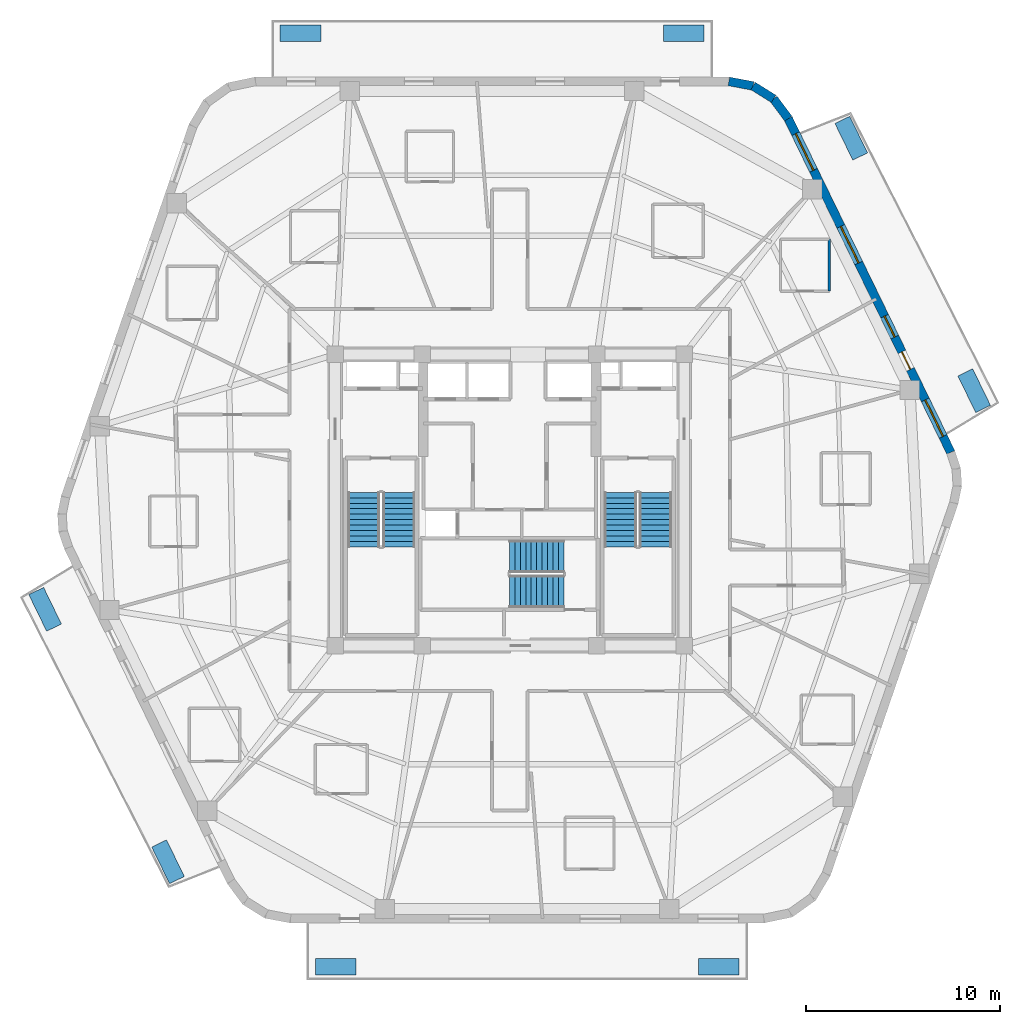
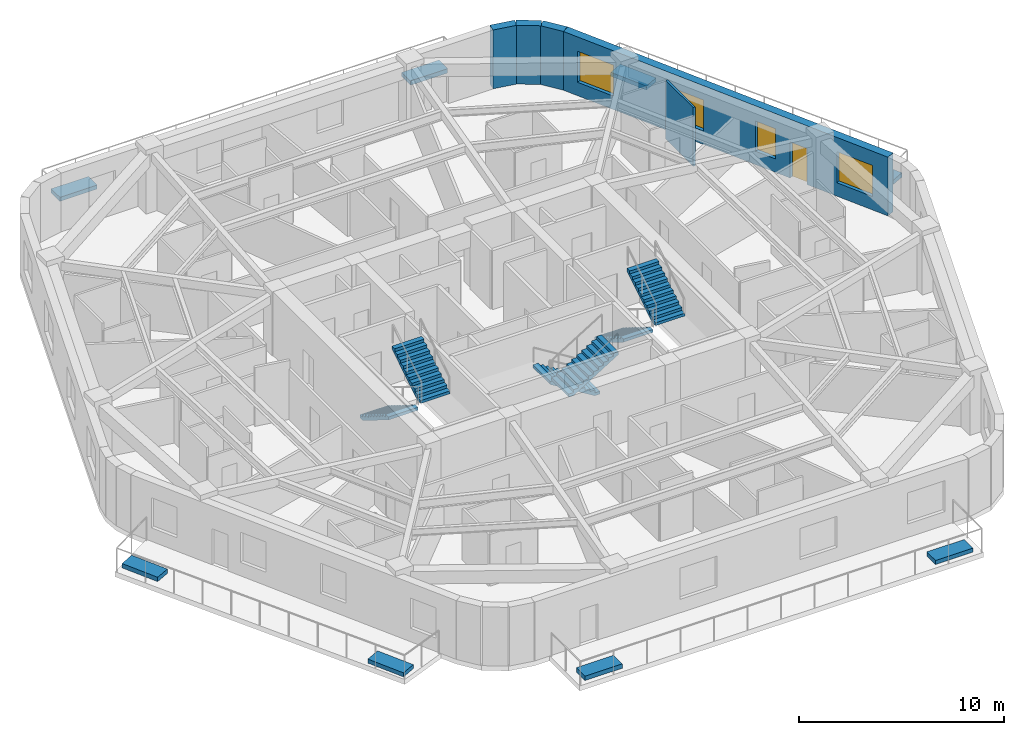
# One storey, part 7 of 10: 8 discrete accessories, 6 stair flights, 5 walls, 4 windows, 1 door, 5 openings, 3 elements without a shape of their own.
"""IFC4 building model written with IfcOpenShell, lengths in metres."""

from ifc_helpers import new_model, si_unit, direction, frame, frame_2d, origin, origin_2d, place, context, subcontext, project, spatial, polyline, rectangle, outline, extrude, material, layer, layer_set, type_object, element, fill, aggregate, save


model = new_model("IFC4")

# Units and contexts
model_context = context("Model", 3, precision=1e-05, world=origin(), true_north=direction((0.0, 1.0)))
body_context = subcontext(model_context, "Body", "Model", "MODEL_VIEW")
ifc_project = project(units=[si_unit("LENGTHUNIT", "METRE"), si_unit("AREAUNIT", "SQUARE_METRE"), si_unit("VOLUMEUNIT", "CUBIC_METRE"), si_unit("PLANEANGLEUNIT", "RADIAN"), si_unit("MASSUNIT", "GRAM", prefix="KILO")], contexts=[model_context])

# Site, building, storey
site_placement = place(None, origin())
site = spatial("IfcSite", under=ifc_project, at=site_placement, CompositionType="ELEMENT")
building_placement = place(site_placement, origin())
building = spatial("IfcBuilding", under=site, at=building_placement, Name="Kilnhurst Terrace Hotel", CompositionType="ELEMENT")
storey_placement = place(building_placement, frame((0.0, 0.0, 244.5)))
storey = spatial("IfcBuildingStorey", under=building, at=storey_placement, Name="L61", CompositionType="ELEMENT", Elevation=244.5)

# Walls
ifc_material_1 = material(Name="Precast concrete C40/50", Category="concrete")
ifc_layer_1 = layer(ifc_material_1, 0.449951171875, Name="Precast concrete C40/50")
ifc_layer_set_1 = layer_set([ifc_layer_1], Name="Precast concrete C40/50")
wall_type_1 = type_object("IfcWallType", Name="WL-BRK-450", PredefinedType="SOLIDWALL", material=ifc_layer_set_1)
wall_1_placement = place(storey_placement, frame((14.3623046875, 19.658447265625, 0.0), z_axis=(0.0, 0.0, 1.0), x_axis=(-0.596642462792, 0.80250717853, 0.0)))
element("IfcWall", 1, at=wall_1_placement, inside=storey, type_object=wall_type_1, Name="L61 Rounded Corner Brick Wall C4.1", PredefinedType="SOLIDWALL", context=body_context, shape_type="SweptSolid", body=[
    extrude(rectangle(XDim=1.27001953125, YDim=0.449951171875, at=frame_2d((0.635009765625, 0.0))), origin(), (0.0, 0.0, 1.0), 3.5),
])
wall_2_placement = place(storey_placement, frame((13.6044921875, 20.677734375, 0.0), z_axis=(0.0, 0.0, 1.0), x_axis=(-0.847910404124, 0.53013955387, 0.0)))
element("IfcWall", 2, at=wall_2_placement, inside=storey, type_object=wall_type_1, Name="L61 Rounded Corner Brick Wall C4.2", PredefinedType="SOLIDWALL", context=body_context, shape_type="SweptSolid", body=[
    extrude(rectangle(XDim=1.24853515625, YDim=0.449951171875, at=frame_2d((0.624267578125, 0.0))), origin(), (0.0, 0.0, 1.0), 3.5),
])
wall_3_placement = place(storey_placement, frame((12.5458984375, 21.339599609375, 0.0), z_axis=(0.0, 0.0, 1.0), x_axis=(-0.982686750835, 0.18527479519, 0.0)))
element("IfcWall", 3, at=wall_3_placement, inside=storey, type_object=wall_type_1, Name="L61 Rounded Corner Brick Wall C4.3", PredefinedType="SOLIDWALL", context=body_context, shape_type="SweptSolid", body=[
    extrude(rectangle(XDim=1.270263671875, YDim=0.449951171875, at=frame_2d((0.63525390625, 0.0))), origin(), (0.0, 0.0, 1.0), 3.5),
])

# Wall, openings, door, windows
wall_4_placement = place(storey_placement, frame((22.73974609375, 2.4521484375, 0.0), z_axis=(0.0, 0.0, 1.0), x_axis=(-0.437753424814, 0.899095066755, 0.0)))
wall_4 = element("IfcWall", 4, at=wall_4_placement, inside=storey, type_object=wall_type_1, Name="L61 Exterior Brick Facade Wall F3", PredefinedType="SOLIDWALL", context=body_context, shape_type="SweptSolid", body=[
    extrude(rectangle(XDim=19.137451171875, YDim=0.449951171875, at=frame_2d((9.56884765625, 0.0))), origin(), (0.0, 0.0, 1.0), 3.5),
])
opening_1_placement = place(wall_4_placement, frame((4.762939453125, 0.0, 0.0)))
opening_1 = element("IfcOpeningElement", 5, at=opening_1_placement, cuts=wall_4, Name="Opening BD-1000", PredefinedType="OPENING", context=body_context, shape_type="SweptSolid", body=[
    extrude(rectangle(XDim=1.0, YDim=2.14990234375, at=frame_2d((0.5, 1.074951171875))), frame((0.0, 0.23486328125, 0.0), z_axis=(0.0, -1.0, 0.0), x_axis=(1.0, 0.0, 0.0)), (0.0, 0.0, 1.0), 0.469970703125),
])
opening_2_placement = place(wall_4_placement, frame((6.611083984375, 0.0, 0.800048828125)))
opening_2 = element("IfcOpeningElement", 6, at=opening_2_placement, cuts=wall_4, Name="Opening W-03", PredefinedType="OPENING", context=body_context, shape_type="SweptSolid", body=[
    extrude(rectangle(XDim=1.199951171875, YDim=1.800048828125, at=frame_2d((0.60009765625, 0.89990234375))), frame((0.0, 0.23486328125, 0.0), z_axis=(0.0, -1.0, 0.0), x_axis=(1.0, 0.0, 0.0)), (0.0, 0.0, 1.0), 0.469970703125),
])
opening_3_placement = place(wall_4_placement, frame((10.85595703125, 0.0, 0.800048828125)))
opening_3 = element("IfcOpeningElement", 7, at=opening_3_placement, cuts=wall_4, Name="Opening W-04", PredefinedType="OPENING", context=body_context, shape_type="SweptSolid", body=[
    extrude(rectangle(XDim=2.10009765625, YDim=1.85009765625, at=frame_2d((1.050048828125, 0.925048828125))), frame((0.0, 0.23486328125, 0.0), z_axis=(0.0, -1.0, 0.0), x_axis=(1.0, 0.0, 0.0)), (0.0, 0.0, 1.0), 0.469970703125),
])
opening_4_placement = place(wall_4_placement, frame((16.173095703125, 0.0, 0.800048828125)))
opening_4 = element("IfcOpeningElement", 8, at=opening_4_placement, cuts=wall_4, Name="Opening W-04", PredefinedType="OPENING", context=body_context, shape_type="SweptSolid", body=[
    extrude(rectangle(XDim=2.10009765625, YDim=1.85009765625, at=frame_2d((1.050048828125, 0.925048828125))), frame((0.0, 0.23486328125, 0.0), z_axis=(0.0, -1.0, 0.0), x_axis=(1.0, 0.0, 0.0)), (0.0, 0.0, 1.0), 0.469970703125),
])
opening_5_placement = place(wall_4_placement, frame((0.916015625, 0.0, 0.800048828125)))
opening_5 = element("IfcOpeningElement", 9, at=opening_5_placement, cuts=wall_4, Name="Opening W-04", PredefinedType="OPENING", context=body_context, shape_type="SweptSolid", body=[
    extrude(rectangle(XDim=2.10009765625, YDim=1.85009765625, at=frame_2d((1.050048828125, 0.925048828125))), frame((0.0, 0.23486328125, 0.0), z_axis=(0.0, -1.0, 0.0), x_axis=(1.0, 0.0, 0.0)), (0.0, 0.0, 1.0), 0.469970703125),
])
ifc_material_2 = material(Name="Thermally Broken Bronze Aluminium Alloy 6063-T6 and Laminated Glass", Category="aluminium")
door_type = type_object("IfcDoorType", Name="DR-EXT-BAL-1000", OperationType="NOTDEFINED", PredefinedType="DOOR", material=ifc_material_2)
door_placement = place(opening_1_placement, origin())
door = element("IfcDoor", 10, at=door_placement, inside=storey, type_object=door_type, Name="L61 Planted Balcony Door BAL-L1A", OperationType="SINGLE_SWING_LEFT", OverallHeight=2.14990234375, OverallWidth=1.0, PredefinedType="DOOR", context=body_context, shape_type="SweptSolid", body=[
    extrude(rectangle(XDim=1.0, YDim=2.14990234375, at=frame_2d((0.5, 1.074951171875))), frame((0.0, 0.02490234375, 0.0), z_axis=(0.0, -1.0, 0.0), x_axis=(1.0, 0.0, 0.0)), (0.0, 0.0, 1.0), 0.050048828125),
])
fill(opening_1, door)
ifc_material_3 = material(Name="Thermally Broken Bronze Aluminium Alloy 6063-T6 and Low-E Glass", Category="aluminium")
window_type_1 = type_object("IfcWindowType", Name="WIN-1200X1800", PartitioningType="SINGLE_PANEL", PredefinedType="WINDOW", material=ifc_material_3)
window_1_placement = place(opening_2_placement, origin())
window_1 = element("IfcWindow", 11, at=window_1_placement, inside=storey, type_object=window_type_1, Name="L61 Deep-Set Masonry Window F3.1", OverallHeight=1.800048828125, OverallWidth=1.199951171875, PartitioningType="SINGLE_PANEL", PredefinedType="WINDOW", context=body_context, shape_type="SweptSolid", body=[
    extrude(rectangle(XDim=1.199951171875, YDim=1.800048828125, at=frame_2d((0.60009765625, 0.89990234375))), frame((0.0, 0.030029296875, 0.0), z_axis=(0.0, -1.0, 0.0), x_axis=(1.0, 0.0, 0.0)), (0.0, 0.0, 1.0), 0.06005859375),
])
fill(opening_2, window_1)
window_type_2 = type_object("IfcWindowType", Name="WIN-2100X1850", PartitioningType="SINGLE_PANEL", PredefinedType="WINDOW", material=ifc_material_3)
window_2_placement = place(opening_3_placement, origin())
window_2 = element("IfcWindow", 12, at=window_2_placement, inside=storey, type_object=window_type_2, Name="L61 Deep-Set Masonry Window F3.2", OverallHeight=1.85009765625, OverallWidth=2.10009765625, PartitioningType="SINGLE_PANEL", PredefinedType="WINDOW", context=body_context, shape_type="SweptSolid", body=[
    extrude(rectangle(XDim=2.10009765625, YDim=1.85009765625, at=frame_2d((1.050048828125, 0.925048828125))), frame((0.0, 0.030029296875, 0.0), z_axis=(0.0, -1.0, 0.0), x_axis=(1.0, 0.0, 0.0)), (0.0, 0.0, 1.0), 0.06005859375),
])
fill(opening_3, window_2)
window_3_placement = place(opening_4_placement, origin())
window_3 = element("IfcWindow", 13, at=window_3_placement, inside=storey, type_object=window_type_2, Name="L61 Deep-Set Masonry Window F3.3", OverallHeight=1.85009765625, OverallWidth=2.10009765625, PartitioningType="SINGLE_PANEL", PredefinedType="WINDOW", context=body_context, shape_type="SweptSolid", body=[
    extrude(rectangle(XDim=2.10009765625, YDim=1.85009765625, at=frame_2d((1.050048828125, 0.925048828125))), frame((0.0, 0.030029296875, 0.0), z_axis=(0.0, -1.0, 0.0), x_axis=(1.0, 0.0, 0.0)), (0.0, 0.0, 1.0), 0.06005859375),
])
fill(opening_4, window_3)
window_4_placement = place(opening_5_placement, origin())
window_4 = element("IfcWindow", 14, at=window_4_placement, inside=storey, type_object=window_type_2, Name="L61 Deep-Set Masonry Window F3.4", OverallHeight=1.85009765625, OverallWidth=2.10009765625, PartitioningType="SINGLE_PANEL", PredefinedType="WINDOW", context=body_context, shape_type="SweptSolid", body=[
    extrude(rectangle(XDim=2.10009765625, YDim=1.85009765625, at=frame_2d((1.050048828125, 0.925048828125))), frame((0.0, 0.030029296875, 0.0), z_axis=(0.0, -1.0, 0.0), x_axis=(1.0, 0.0, 0.0)), (0.0, 0.0, 1.0), 0.06005859375),
])
fill(opening_5, window_4)

# Wall
ifc_material_4 = material(Name="120 mm Moisture-Resistant Tile-Backed Bathroom Partition")
ifc_layer_2 = layer(ifc_material_4, 0.1201171875, Name="120 mm Moisture-Resistant Tile-Backed Bathroom Partition")
ifc_layer_set_2 = layer_set([ifc_layer_2], Name="120 mm Moisture-Resistant Tile-Backed Bathroom Partition")
wall_type_2 = type_object("IfcWallType", Name="WL-PART-120", PredefinedType="PARTITIONING", material=ifc_layer_set_2)
wall_5_placement = place(storey_placement, frame((16.47802734375, 10.761962890625, 0.0), z_axis=(0.0, 0.0, 1.0), x_axis=(0.0, 1.0, 0.0)))
element("IfcWall", 15, at=wall_5_placement, inside=storey, type_object=wall_type_2, Name="L61 Interior Wall WL-L61-BTH-02-2", PredefinedType="PARTITIONING", context=body_context, shape_type="SweptSolid", body=[
    extrude(rectangle(XDim=2.679931640625, YDim=0.1201171875, at=frame_2d((1.33984375, 0.0))), origin(), (0.0, 0.0, 1.0), 3.5),
])

# Stair, stair flights
ifc_material_5 = material(Name="Concrete C50/60", Category="concrete")
stair_type = type_object("IfcStairType", Name="STR-CORE-1660", PredefinedType="HALF_TURN_STAIR", material=ifc_material_5)
stair_1_placement = place(storey_placement, origin())
stair_1 = element("IfcStair", 16, at=stair_1_placement, inside=storey, type_object=stair_type, Name="L61 ST-1", PredefinedType="HALF_TURN_STAIR")
stair_flight_type = type_object("IfcStairFlightType", Name="FLT-RC-1660", PredefinedType="STRAIGHT", material=ifc_material_5)
stair_flight_1_placement = place(storey_placement, frame((-7.52001953125, 0.389892578125, 0.0), z_axis=(0.0, 0.0, 1.0), x_axis=(0.0, -1.0, 0.0)))
stair_flight_1 = element("IfcStairFlight", 17, at=stair_flight_1_placement, type_object=stair_flight_type, Name="ST-1 flight 1", NumberOfRisers=11, NumberOfTreads=10, PredefinedType="STRAIGHT", RiserHeight=0.172727273, TreadLength=0.28, context=body_context, shape_type="SweptSolid", body=[
    extrude(outline(polyline([(0.0, 0.0), (0.0, 0.172607421875), (0.280029296875, 0.172607421875), (0.280029296875, 0.345458984375), (0.56005859375, 0.345458984375), (0.56005859375, 0.51806640625), (0.840087890625, 0.51806640625), (0.840087890625, 0.69091796875), (1.1201171875, 0.69091796875), (1.1201171875, 0.863525390625), (1.39990234375, 0.863525390625), (1.39990234375, 1.036376953125), (1.679931640625, 1.036376953125), (1.679931640625, 1.208984375), (1.9599609375, 1.208984375), (1.9599609375, 1.3818359375), (2.239990234375, 1.3818359375), (2.239990234375, 1.554443359375), (2.52001953125, 1.554443359375), (2.52001953125, 1.727294921875), (2.800048828125, 1.727294921875), (2.800048828125, 1.89990234375), (2.800048828125, 1.551025390625), (0.285400390625, 0.0), (0.0, 0.0)])), frame((0.0, 0.830078125, 0.0), z_axis=(0.0, -1.0, 0.0), x_axis=(1.0, 0.0, 0.0)), (0.0, 0.0, 1.0), 1.659912109375),
])
stair_flight_2_placement = place(storey_placement, frame((-5.7099609375, -2.409912109375, 1.89990234375), z_axis=(0.0, 0.0, 1.0), x_axis=(0.0, 1.0, 0.0)))
stair_flight_2 = element("IfcStairFlight", 18, at=stair_flight_2_placement, type_object=stair_flight_type, Name="ST-1 flight 2", NumberOfRisers=11, NumberOfTreads=10, PredefinedType="STRAIGHT", RiserHeight=0.172727273, TreadLength=0.28, context=body_context, shape_type="SweptSolid", body=[
    extrude(outline(polyline([(0.0, 0.0), (0.0, 0.172607421875), (0.280029296875, 0.172607421875), (0.280029296875, 0.345458984375), (0.56005859375, 0.345458984375), (0.56005859375, 0.51806640625), (0.840087890625, 0.51806640625), (0.840087890625, 0.69091796875), (1.1201171875, 0.69091796875), (1.1201171875, 0.863525390625), (1.39990234375, 0.863525390625), (1.39990234375, 1.036376953125), (1.679931640625, 1.036376953125), (1.679931640625, 1.208984375), (1.9599609375, 1.208984375), (1.9599609375, 1.3818359375), (2.239990234375, 1.3818359375), (2.239990234375, 1.554443359375), (2.52001953125, 1.554443359375), (2.52001953125, 1.727294921875), (2.800048828125, 1.727294921875), (2.800048828125, 1.89990234375), (2.800048828125, 1.551025390625), (0.285400390625, 0.0), (0.0, 0.0)])), frame((0.0, 0.830078125, 0.0), z_axis=(0.0, -1.0, 0.0), x_axis=(1.0, 0.0, 0.0)), (0.0, 0.0, 1.0), 1.659912109375),
])
aggregate(stair_1, [stair_flight_1, stair_flight_2])

stair_2_placement = place(storey_placement, origin())
stair_2 = element("IfcStair", 19, at=stair_2_placement, inside=storey, type_object=stair_type, Name="L61 ST-2", PredefinedType="HALF_TURN_STAIR")
stair_flight_3_placement = place(storey_placement, frame((5.7099609375, 0.389892578125, 0.0), z_axis=(0.0, 0.0, 1.0), x_axis=(0.0, -1.0, 0.0)))
stair_flight_3 = element("IfcStairFlight", 20, at=stair_flight_3_placement, type_object=stair_flight_type, Name="ST-2 flight 1", NumberOfRisers=11, NumberOfTreads=10, PredefinedType="STRAIGHT", RiserHeight=0.172727273, TreadLength=0.28, context=body_context, shape_type="SweptSolid", body=[
    extrude(outline(polyline([(0.0, 0.0), (0.0, 0.172607421875), (0.280029296875, 0.172607421875), (0.280029296875, 0.345458984375), (0.56005859375, 0.345458984375), (0.56005859375, 0.51806640625), (0.840087890625, 0.51806640625), (0.840087890625, 0.69091796875), (1.1201171875, 0.69091796875), (1.1201171875, 0.863525390625), (1.39990234375, 0.863525390625), (1.39990234375, 1.036376953125), (1.679931640625, 1.036376953125), (1.679931640625, 1.208984375), (1.9599609375, 1.208984375), (1.9599609375, 1.3818359375), (2.239990234375, 1.3818359375), (2.239990234375, 1.554443359375), (2.52001953125, 1.554443359375), (2.52001953125, 1.727294921875), (2.800048828125, 1.727294921875), (2.800048828125, 1.89990234375), (2.800048828125, 1.551025390625), (0.285400390625, 0.0), (0.0, 0.0)])), frame((0.0, 0.830078125, 0.0), z_axis=(0.0, -1.0, 0.0), x_axis=(1.0, 0.0, 0.0)), (0.0, 0.0, 1.0), 1.659912109375),
])
stair_flight_4_placement = place(storey_placement, frame((7.52001953125, -2.409912109375, 1.89990234375), z_axis=(0.0, 0.0, 1.0), x_axis=(0.0, 1.0, 0.0)))
stair_flight_4 = element("IfcStairFlight", 21, at=stair_flight_4_placement, type_object=stair_flight_type, Name="ST-2 flight 2", NumberOfRisers=11, NumberOfTreads=10, PredefinedType="STRAIGHT", RiserHeight=0.172727273, TreadLength=0.28, context=body_context, shape_type="SweptSolid", body=[
    extrude(outline(polyline([(0.0, 0.0), (0.0, 0.172607421875), (0.280029296875, 0.172607421875), (0.280029296875, 0.345458984375), (0.56005859375, 0.345458984375), (0.56005859375, 0.51806640625), (0.840087890625, 0.51806640625), (0.840087890625, 0.69091796875), (1.1201171875, 0.69091796875), (1.1201171875, 0.863525390625), (1.39990234375, 0.863525390625), (1.39990234375, 1.036376953125), (1.679931640625, 1.036376953125), (1.679931640625, 1.208984375), (1.9599609375, 1.208984375), (1.9599609375, 1.3818359375), (2.239990234375, 1.3818359375), (2.239990234375, 1.554443359375), (2.52001953125, 1.554443359375), (2.52001953125, 1.727294921875), (2.800048828125, 1.727294921875), (2.800048828125, 1.89990234375), (2.800048828125, 1.551025390625), (0.285400390625, 0.0), (0.0, 0.0)])), frame((0.0, 0.830078125, 0.0), z_axis=(0.0, -1.0, 0.0), x_axis=(1.0, 0.0, 0.0)), (0.0, 0.0, 1.0), 1.659912109375),
])
aggregate(stair_2, [stair_flight_3, stair_flight_4])

stair_3_placement = place(storey_placement, origin())
stair_3 = element("IfcStair", 22, at=stair_3_placement, inside=storey, type_object=stair_type, Name="L61 ST-3", PredefinedType="HALF_TURN_STAIR")
stair_flight_5_placement = place(storey_placement, frame((2.7900390625, -2.909912109375, 0.0), z_axis=(0.0, 0.0, 1.0), x_axis=(-1.0, 0.0, 0.0)))
stair_flight_5 = element("IfcStairFlight", 23, at=stair_flight_5_placement, type_object=stair_flight_type, Name="ST-3 flight 1", NumberOfRisers=11, NumberOfTreads=10, PredefinedType="STRAIGHT", RiserHeight=0.172727273, TreadLength=0.28, context=body_context, shape_type="SweptSolid", body=[
    extrude(outline(polyline([(0.0, 0.0), (0.0, 0.172607421875), (0.280029296875, 0.172607421875), (0.280029296875, 0.345458984375), (0.56005859375, 0.345458984375), (0.56005859375, 0.51806640625), (0.840087890625, 0.51806640625), (0.840087890625, 0.69091796875), (1.1201171875, 0.69091796875), (1.1201171875, 0.863525390625), (1.39990234375, 0.863525390625), (1.39990234375, 1.036376953125), (1.679931640625, 1.036376953125), (1.679931640625, 1.208984375), (1.9599609375, 1.208984375), (1.9599609375, 1.3818359375), (2.239990234375, 1.3818359375), (2.239990234375, 1.554443359375), (2.52001953125, 1.554443359375), (2.52001953125, 1.727294921875), (2.800048828125, 1.727294921875), (2.800048828125, 1.89990234375), (2.800048828125, 1.551025390625), (0.285400390625, 0.0), (0.0, 0.0)])), frame((0.0, 0.830078125, 0.0), z_axis=(0.0, -1.0, 0.0), x_axis=(1.0, 0.0, 0.0)), (0.0, 0.0, 1.0), 1.659912109375),
])
stair_flight_6_placement = place(storey_placement, frame((-0.010009765625, -4.719970703125, 1.89990234375), z_axis=(0.0, 0.0, 1.0), x_axis=(1.0, 0.0, 0.0)))
stair_flight_6 = element("IfcStairFlight", 24, at=stair_flight_6_placement, type_object=stair_flight_type, Name="ST-3 flight 2", NumberOfRisers=11, NumberOfTreads=10, PredefinedType="STRAIGHT", RiserHeight=0.172727273, TreadLength=0.28, context=body_context, shape_type="SweptSolid", body=[
    extrude(outline(polyline([(0.0, 0.0), (0.0, 0.172607421875), (0.280029296875, 0.172607421875), (0.280029296875, 0.345458984375), (0.56005859375, 0.345458984375), (0.56005859375, 0.51806640625), (0.840087890625, 0.51806640625), (0.840087890625, 0.69091796875), (1.1201171875, 0.69091796875), (1.1201171875, 0.863525390625), (1.39990234375, 0.863525390625), (1.39990234375, 1.036376953125), (1.679931640625, 1.036376953125), (1.679931640625, 1.208984375), (1.9599609375, 1.208984375), (1.9599609375, 1.3818359375), (2.239990234375, 1.3818359375), (2.239990234375, 1.554443359375), (2.52001953125, 1.554443359375), (2.52001953125, 1.727294921875), (2.800048828125, 1.727294921875), (2.800048828125, 1.89990234375), (2.800048828125, 1.551025390625), (0.285400390625, 0.0), (0.0, 0.0)])), frame((0.0, 0.830078125, 0.0), z_axis=(0.0, -1.0, 0.0), x_axis=(1.0, 0.0, 0.0)), (0.0, 0.0, 1.0), 1.659912109375),
])
aggregate(stair_3, [stair_flight_5, stair_flight_6])

# Discrete accessories
ifc_material_6 = material(Name="Precast Concrete C40/50 Shrub Planter", Category="concrete")
discrete_accessory_type_1 = type_object("IfcDiscreteAccessoryType", Name="PLN-SHRUB-240", PredefinedType="USERDEFINED", material=ifc_material_6)
for number, where, z_axis, x_axis, name in (
    (25, (17.607177734375, 18.64794921875, 0.0), (0.0, 0.0, 1.0), (-0.437743563395, 0.899099868038, 0.0), "L61 Structural Tree Planter Box PLANTER BAL-L1A.2"),
    (26, (-10.77490234375, 24.050048828125, 0.0), (0.0, 0.0, 1.0), (-1.0, 0.0, 0.0), "L61 Structural Tree Planter Box PLANTER BAL-L1B.2"),
    (27, (-17.607177734375, -18.64794921875, 0.0), (0.0, 0.0, 1.0), (0.437743563395, -0.899099868038, 0.0), "L61 Structural Tree Planter Box PLANTER BAL-L2A.2"),
    (28, (10.77490234375, -24.050048828125, 0.0), (0.0, 0.0, 1.0), (1.0, 0.0, 0.0), "L61 Structural Tree Planter Box PLANTER BAL-L2B.2"),
):
    element("IfcDiscreteAccessory", number, at=place(storey_placement, frame(where, z_axis=z_axis, x_axis=x_axis)), inside=storey, type_object=discrete_accessory_type_1, Name=name, ObjectType="PLANTER", PredefinedType="USERDEFINED", context=body_context, shape_type="SweptSolid", body=[
        extrude(rectangle(XDim=2.10009765625, YDim=0.85009765625, at=origin_2d()), origin(), (0.0, 0.0, 1.0), 0.239990234375),
    ])
ifc_material_7 = material(Name="Precast Concrete C40/50 Tree Planter", Category="concrete")
discrete_accessory_type_2 = type_object("IfcDiscreteAccessoryType", Name="PLN-TREE-260", PredefinedType="USERDEFINED", material=ifc_material_7)
for number, where, z_axis, x_axis, name in (
    (29, (23.942626953125, 5.635009765625, 0.0), (0.0, 0.0, 1.0), (-0.437743563395, 0.899099868038, 0.0), "L61 Structural Tree Planter Box PLANTER BAL-L1A.1"),
    (30, (8.96875, 24.050048828125, 0.0), (0.0, 0.0, 1.0), (-1.0, 0.0, 0.0), "L61 Structural Tree Planter Box PLANTER BAL-L1B.1"),
    (31, (-23.942626953125, -5.635009765625, 0.0), (0.0, 0.0, 1.0), (0.437743563395, -0.899099868038, 0.0), "L61 Structural Tree Planter Box PLANTER BAL-L2A.1"),
    (32, (-8.96875, -24.050048828125, 0.0), (0.0, 0.0, 1.0), (1.0, 0.0, 0.0), "L61 Structural Tree Planter Box PLANTER BAL-L2B.1"),
):
    element("IfcDiscreteAccessory", number, at=place(storey_placement, frame(where, z_axis=z_axis, x_axis=x_axis)), inside=storey, type_object=discrete_accessory_type_2, Name=name, ObjectType="PLANTER", PredefinedType="USERDEFINED", context=body_context, shape_type="SweptSolid", body=[
        extrude(rectangle(XDim=2.10009765625, YDim=0.85009765625, at=origin_2d()), origin(), (0.0, 0.0, 1.0), 0.260009765625),
    ])

save(model, "model.ifc")
